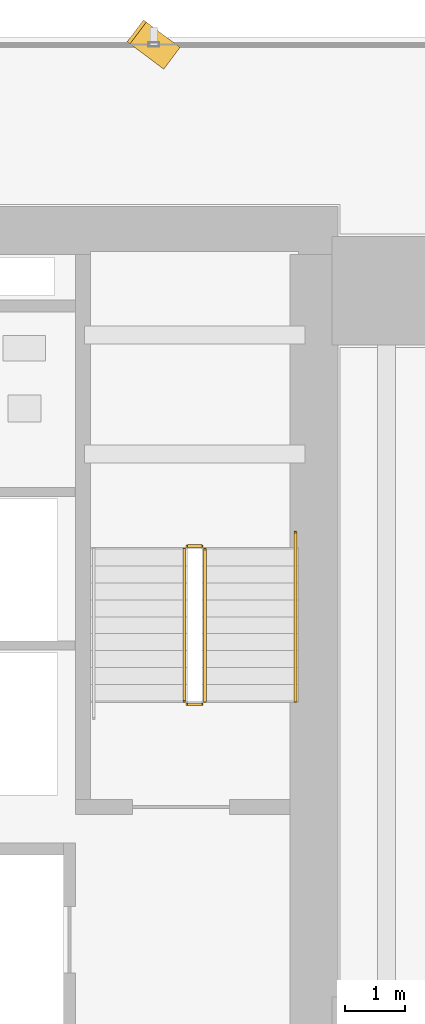
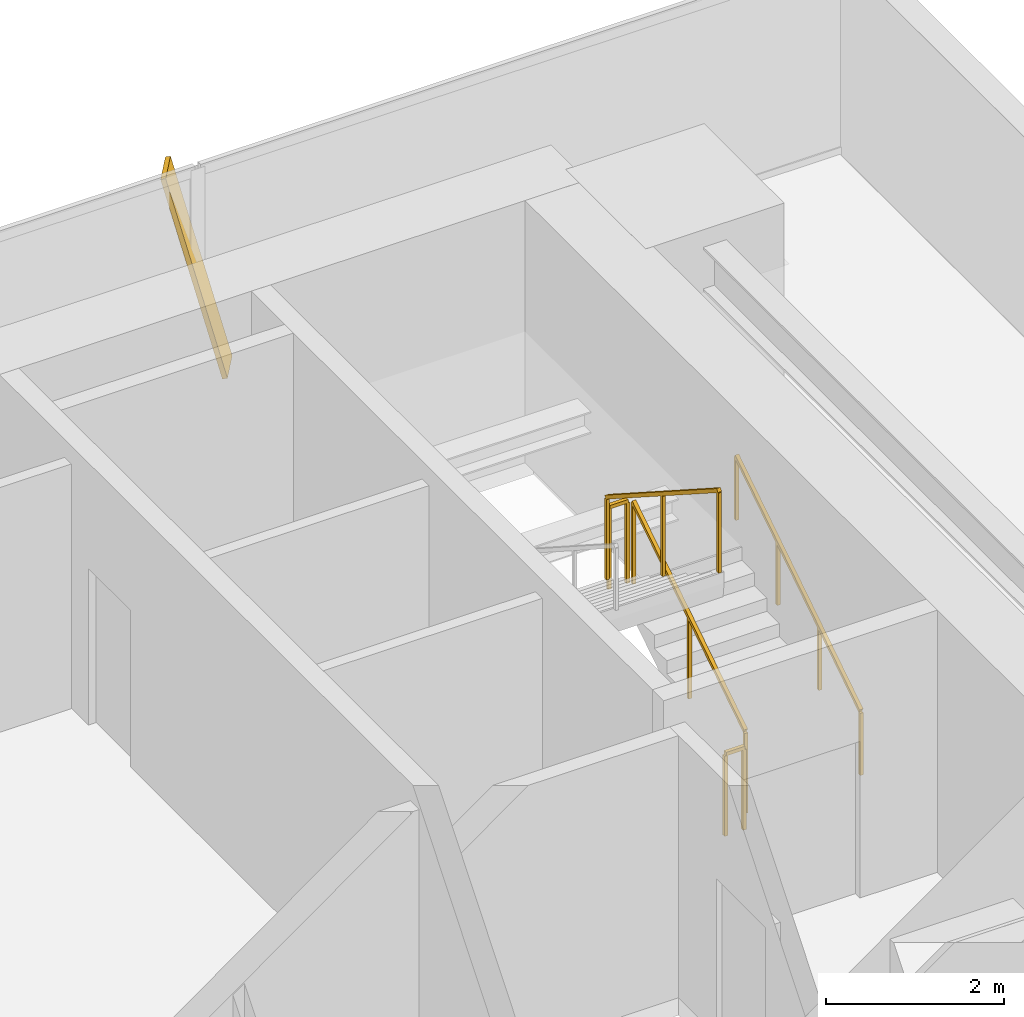
# One storey, part 32 of 33: 5 railings, 1 shading device.
"""IFC4 building model written with IfcOpenShell, lengths in metres."""

from ifc_helpers import new_model, si_unit, direction, frame, origin, origin_2d, place, context, subcontext, project, spatial, rectangle, extrude, source, transform, mapped, material, material_profile, profile_set, type_object, element, save


model = new_model("IFC4")

# Units and contexts
model_context = context("Model", 3, precision=1e-05, world=origin(), true_north=direction((0.0, 1.0)))
body_context = subcontext(model_context, "Body", "Model", "MODEL_VIEW")
ifc_project = project(units=[si_unit("LENGTHUNIT", "METRE"), si_unit("AREAUNIT", "SQUARE_METRE"), si_unit("VOLUMEUNIT", "CUBIC_METRE"), si_unit("PLANEANGLEUNIT", "RADIAN"), si_unit("MASSUNIT", "GRAM", prefix="KILO")], contexts=[model_context])

# Site, building, storey
site_placement = place(None, origin())
site = spatial("IfcSite", under=ifc_project, at=site_placement, CompositionType="ELEMENT")
building_placement = place(site_placement, origin())
building = spatial("IfcBuilding", under=site, at=building_placement, Name="Sumidabori Civic Tower", CompositionType="ELEMENT")
storey_placement = place(building_placement, frame((0.0, 0.0, 59.60009765625)))
storey = spatial("IfcBuildingStorey", under=building, at=storey_placement, Name="L15", CompositionType="ELEMENT", Elevation=59.60009765625)

# Railings
ifc_material_1 = material(Name="Stainless Steel Hairline Finish", Category="steel")
railing_type_1 = type_object("IfcRailingType", Name="RL-HANDRAIL", PredefinedType="HANDRAIL", material=ifc_material_1)
railing_1_placement = place(storey_placement, frame((15.2900390625, 16.0, 0.179931640625)))
element("IfcRailing", 1, at=railing_1_placement, inside=storey, type_object=railing_type_1, Name="L15 ST-2 stair handrail 1", PredefinedType="HANDRAIL", context=body_context, shape_type="SweptSolid", body=[
    extrude(rectangle(XDim=0.048095703125, YDim=0.048095703125, at=origin_2d()), frame((0.0, 0.0, 0.8759765625), z_axis=(0.0, 0.840675598268, 0.541539046124), x_axis=(-1.0, 0.0, 0.0)), (0.0, 0.0, 1.0), 3.330810546875),
    extrude(rectangle(XDim=0.0419921875, YDim=0.0419921875, at=origin_2d()), origin(), (0.0, 0.0, 1.0), 0.851806640625),
    extrude(rectangle(XDim=0.0419921875, YDim=0.0419921875, at=origin_2d()), frame((0.0, 0.933349609375, 0.601318359375)), (0.0, 0.0, 1.0), 0.851806640625),
    extrude(rectangle(XDim=0.0419921875, YDim=0.0419921875, at=origin_2d()), frame((0.0, 1.86669921875, 1.202392578125)), (0.0, 0.0, 1.0), 0.851806640625),
    extrude(rectangle(XDim=0.0419921875, YDim=0.0419921875, at=origin_2d()), frame((0.0, 2.800048828125, 1.8037109375)), (0.0, 0.0, 1.0), 0.851806640625),
])
ifc_material_2 = material(Name="Steel SN490", Category="steel")
railing_type_2 = type_object("IfcRailingType", Name="RL-STAIR-GUARD", PredefinedType="GUARDRAIL", material=ifc_material_2)
railing_2_placement = place(storey_placement, frame((13.7900390625, 16.0, 0.179931640625)))
element("IfcRailing", 2, at=railing_2_placement, inside=storey, type_object=railing_type_2, Name="L15 ST-2 stair guard 1", PredefinedType="GUARDRAIL", context=body_context, shape_type="SweptSolid", body=[
    extrude(rectangle(XDim=0.048095703125, YDim=0.048095703125, at=origin_2d()), frame((0.0, 0.0, 1.1259765625), z_axis=(0.0, 0.841199657755, 0.540724639528), x_axis=(-1.0, 0.0, 0.0)), (0.0, 0.0, 1.0), 2.995849609375),
    extrude(rectangle(XDim=0.0419921875, YDim=0.0419921875, at=origin_2d()), origin(), (0.0, 0.0, 1.0), 1.101806640625),
    extrude(rectangle(XDim=0.0419921875, YDim=0.0419921875, at=origin_2d()), frame((0.0, 1.260009765625, 0.81005859375)), (0.0, 0.0, 1.0), 1.101806640625),
    extrude(rectangle(XDim=0.0419921875, YDim=0.0419921875, at=origin_2d()), frame((0.0, 2.52001953125, 1.619873046875)), (0.0, 0.0, 1.0), 1.101806640625),
])
railing_3_placement = place(storey_placement, frame((13.739990234375, 18.570068359375, 1.7998046875)))
element("IfcRailing", 3, at=railing_3_placement, inside=storey, type_object=railing_type_2, Name="L15 ST-2 stair guard 2", PredefinedType="GUARDRAIL", context=body_context, shape_type="SweptSolid", body=[
    extrude(rectangle(XDim=0.048095703125, YDim=0.048095703125, at=origin_2d()), frame((0.0, 0.0, 1.1259765625), z_axis=(-1.0, 0.0, 0.0), x_axis=(0.0, -1.0, 0.0)), (0.0, 0.0, 1.0), 0.239990234375),
    extrude(rectangle(XDim=0.0419921875, YDim=0.0419921875, at=origin_2d()), origin(), (0.0, 0.0, 1.0), 1.101806640625),
    extrude(rectangle(XDim=0.0419921875, YDim=0.0419921875, at=origin_2d()), frame((-0.239990234375, 0.0, 0.0)), (0.0, 0.0, 1.0), 1.101806640625),
])
railing_4_placement = place(storey_placement, frame((13.449951171875, 18.52001953125, 1.97998046875)))
element("IfcRailing", 4, at=railing_4_placement, inside=storey, type_object=railing_type_2, Name="L15 ST-2 stair guard 3", PredefinedType="GUARDRAIL", context=body_context, shape_type="SweptSolid", body=[
    extrude(rectangle(XDim=0.048095703125, YDim=0.048095703125, at=origin_2d()), frame((0.0, 0.0, 1.1259765625), z_axis=(0.0, -0.841199657755, 0.540724639528), x_axis=(1.0, 0.0, 0.0)), (0.0, 0.0, 1.0), 2.995849609375),
    extrude(rectangle(XDim=0.0419921875, YDim=0.0419921875, at=origin_2d()), origin(), (0.0, 0.0, 1.0), 1.101806640625),
    extrude(rectangle(XDim=0.0419921875, YDim=0.0419921875, at=origin_2d()), frame((0.0, -1.260009765625, 0.81005859375)), (0.0, 0.0, 1.0), 1.101806640625),
    extrude(rectangle(XDim=0.0419921875, YDim=0.0419921875, at=origin_2d()), frame((0.0, -2.52001953125, 1.619873046875)), (0.0, 0.0, 1.0), 1.101806640625),
])
railing_5_placement = place(storey_placement, frame((13.739990234375, 15.949951171875, 0.0)))
element("IfcRailing", 5, at=railing_5_placement, inside=storey, type_object=railing_type_2, Name="L15 ST-2 stair guard 4", PredefinedType="GUARDRAIL", context=body_context, shape_type="SweptSolid", body=[
    extrude(rectangle(XDim=0.048095703125, YDim=0.048095703125, at=origin_2d()), frame((0.0, 0.0, 1.1259765625), z_axis=(-1.0, 0.0, 0.0), x_axis=(0.0, -1.0, 0.0)), (0.0, 0.0, 1.0), 0.239990234375),
    extrude(rectangle(XDim=0.0419921875, YDim=0.0419921875, at=origin_2d()), origin(), (0.0, 0.0, 1.0), 1.101806640625),
    extrude(rectangle(XDim=0.0419921875, YDim=0.0419921875, at=origin_2d()), frame((-0.239990234375, 0.0, 0.0)), (0.0, 0.0, 1.0), 1.101806640625),
])

# Shading device
ifc_material_3 = material(Name="Anodised Bronze Aluminium AW-6063-T6", Category="aluminium")
ifc_material_profile = material_profile(ifc_material_3, rectangle(XDim=0.06005859375, YDim=0.449951171875, at=origin_2d()), Name="BRONZE FIN 450x60")
ifc_profile_set = profile_set([ifc_material_profile], Name="Anodised Bronze Aluminium AW-6063-T6")
shading_device_type = type_object("IfcShadingDeviceType", Name="SH-FIN-450", PredefinedType="USERDEFINED", material=ifc_profile_set)
shared_shape = source(origin(), body_context, "Body", "SweptSolid", [
    extrude(rectangle(XDim=0.06005859375, YDim=0.449951171875, at=origin_2d()), origin(), (0.0, 0.0, 1.0), 2.769775390625),
])
shading_device_placement = place(storey_placement, frame((13.221923828125, 26.669921875, 0.02001953125), z_axis=(-0.20211139135, 0.151693721986, 0.967543280787), x_axis=(0.773832092044, -0.580795913828, 0.252705361643)))
element("IfcShadingDevice", 6, at=shading_device_placement, inside=storey, type_object=shading_device_type, Name="Bronze Anodised Diagonal Fin L15-01", ObjectType="FIN", PredefinedType="USERDEFINED", context=body_context, shape_type="MappedRepresentation", body=[
    mapped(shared_shape, transform((0.0, 0.0, 0.0), x_axis=(1.0, 0.0, 0.0), y_axis=(0.0, 1.0, 0.0), z_axis=(0.0, 0.0, 1.0), scale=1.0)),
])

save(model, "model.ifc")
